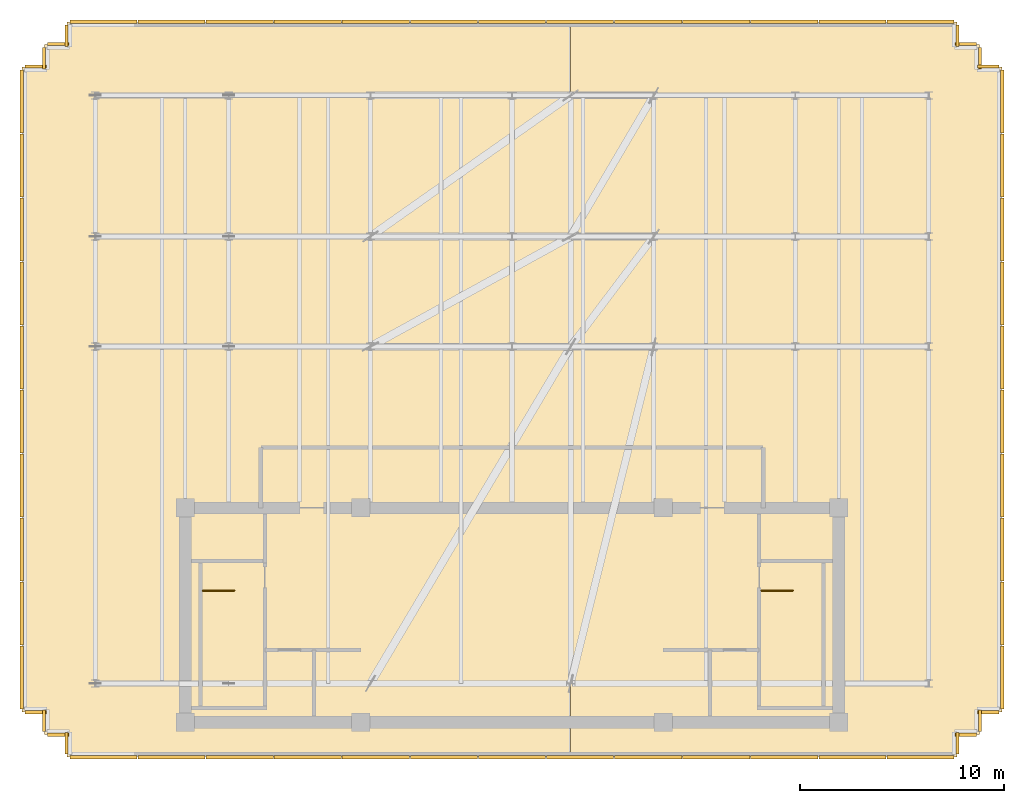
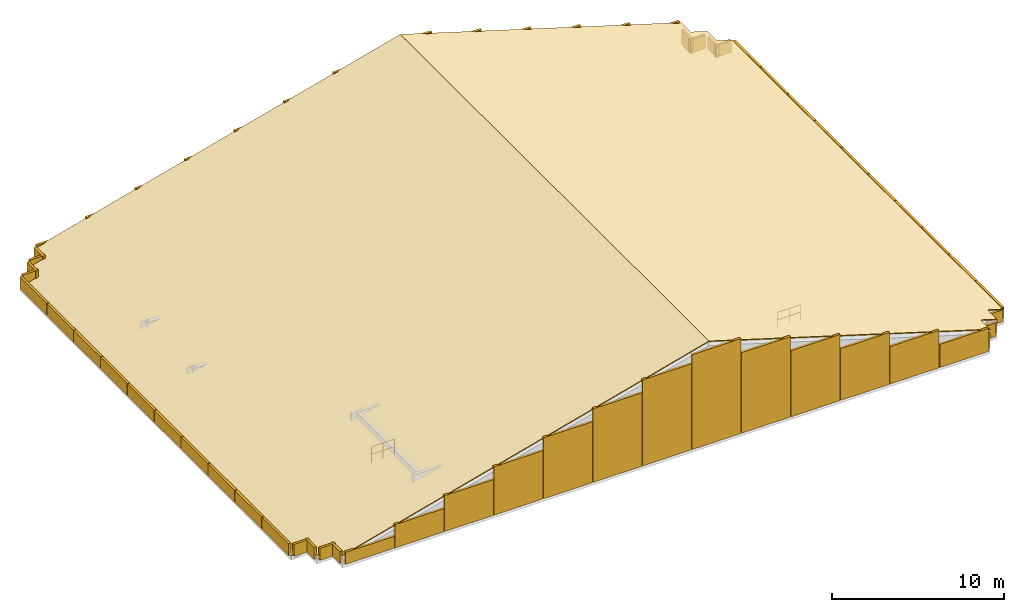
# One storey, part 6 of 6: 62 shading devices, 2 coverings, 2 railings.
"""IFC4 building model written with IfcOpenShell, lengths in metres."""

from ifc_helpers import new_model, si_unit, direction, frame, origin, origin_2d, place, context, subcontext, project, spatial, polyline, rectangle, circle, outline, extrude, material, layer, layer_set, type_object, element, save


model = new_model("IFC4")

# Units and contexts
model_context = context("Model", 3, precision=1e-05, world=origin(), true_north=direction((0.0, 1.0)))
body_context = subcontext(model_context, "Body", "Model", "MODEL_VIEW")
ifc_project = project(units=[si_unit("LENGTHUNIT", "METRE"), si_unit("AREAUNIT", "SQUARE_METRE"), si_unit("VOLUMEUNIT", "CUBIC_METRE"), si_unit("PLANEANGLEUNIT", "RADIAN"), si_unit("MASSUNIT", "GRAM", prefix="KILO")], contexts=[model_context])

# Site, building, storey
site_placement = place(None, origin())
site = spatial("IfcSite", under=ifc_project, at=site_placement, CompositionType="ELEMENT")
building_placement = place(site_placement, origin())
building = spatial("IfcBuilding", under=site, at=building_placement, Name="Solmavex Isthmus Hotel", CompositionType="ELEMENT")
storey_placement = place(building_placement, frame((0.0, 0.0, 308.39990234375)))
storey = spatial("IfcBuildingStorey", under=building, at=storey_placement, Name="Roof", CompositionType="ELEMENT", Elevation=308.39990234375)

# Coverings
ifc_material_1 = material(Name="Aluminium alloy 6063-T6", Category="aluminium")
ifc_layer_1 = layer(ifc_material_1, 0.06005859375)
ifc_layer_set_1 = layer_set([ifc_layer_1], Name="Aluminium alloy 6063-T6")
covering_type = type_object("IfcCoveringType", Name="COV-ROOF-METAL", PredefinedType="ROOFING", material=ifc_layer_set_1)
covering_1_placement = place(storey_placement, frame((2.870849609375, -14.699951171875, 7.260009765625), z_axis=(-0.258816570406, 0.0, 0.965926489379), x_axis=(0.0, 1.0, 0.0)))
element("IfcCovering", 1, at=covering_1_placement, inside=storey, type_object=covering_type, Name="Crown Standing-Seam Metal Roof Covering W", PredefinedType="ROOFING", context=body_context, shape_type="SweptSolid", body=[
    extrude(outline(polyline([(0.0, 0.0), (36.0, 0.0), (36.0, 24.402261890473536), (36.0, 25.541142838134675), (34.89990234375, 25.541142838134675), (34.89990234375, 26.67985115153826), (33.800048828125, 26.67985115153826), (33.800048828125, 27.818732099199398), (32.699951171875, 27.818732099199398), (3.300048828125, 27.818732099199398), (2.199951171875, 27.818732099199398), (2.199951171875, 26.67985115153826), (1.099853515625, 26.67985115153826), (1.099853515625, 25.541142838134675), (0.0, 25.541142838134675), (0.0, 24.402261890473536), (0.0, 0.0)])), origin(), (0.0, 0.0, -1.0), 0.06005859375),
])
covering_2_placement = place(storey_placement, frame((2.870849609375, 21.300048828125, 7.260009765625), z_axis=(0.292367343027, 0.0, 0.956306089456), x_axis=(0.0, -1.0, 0.0)))
element("IfcCovering", 2, at=covering_2_placement, inside=storey, type_object=covering_type, Name="Crown Standing-Seam Metal Roof Covering E", PredefinedType="ROOFING", context=body_context, shape_type="SweptSolid", body=[
    extrude(outline(polyline([(0.0, 0.0), (36.0, 0.0), (36.0, 18.643751652486216), (36.0, 19.79407027319876), (34.900146484375, 19.79407027319876), (34.900146484375, 20.944226799490785), (33.800048828125, 20.944226799490785), (33.800048828125, 22.09454542020333), (32.699951171875, 22.09454542020333), (3.300048828125, 22.09454542020333), (2.199951171875, 22.09454542020333), (2.199951171875, 20.944226799490785), (1.10009765625, 20.944226799490785), (1.10009765625, 19.79407027319876), (0.0, 19.79407027319876), (0.0, 18.643751652486216), (0.0, 0.0)])), origin(), (0.0, 0.0, -1.0), 0.06005859375),
])

# Railings
ifc_material_2 = material(Name="Stainless steel 316", Category="steel")
ifc_layer_2 = layer(ifc_material_2, 0.06005859375)
ifc_layer_set_2 = layer_set([ifc_layer_2], Name="Stainless steel 316")
railing_type = type_object("IfcRailingType", Name="RAIL-STAIR-GD", PredefinedType="GUARDRAIL", material=ifc_layer_set_2)
railing_1_placement = place(storey_placement, frame((-15.14990234375, -6.550048828125, 0.0)))
element("IfcRailing", 3, at=railing_1_placement, inside=storey, type_object=railing_type, Name="Roof ST-1 top well guard 1", PredefinedType="GUARDRAIL", context=body_context, shape_type="SweptSolid", body=[
    extrude(circle(Radius=0.02392578125, at=origin_2d()), frame((0.0, 0.0, 1.09619140625), z_axis=(1.0, 0.0, 0.0), x_axis=(0.0, 1.0, 0.0)), (0.0, 0.0, 1.0), 1.5498046875),
    extrude(circle(Radius=0.02392578125, at=origin_2d()), frame((0.0, 0.0, 0.56005859375), z_axis=(1.0, 0.0, 0.0), x_axis=(0.0, 1.0, 0.0)), (0.0, 0.0, 1.0), 1.5498046875),
    extrude(circle(Radius=0.02099609375, at=origin_2d()), origin(), (0.0, 0.0, 1.0), 1.072021484375),
    extrude(circle(Radius=0.02099609375, at=origin_2d()), frame((0.77490234375, 0.0, 0.0)), (0.0, 0.0, 1.0), 1.072021484375),
    extrude(circle(Radius=0.02099609375, at=origin_2d()), frame((1.5498046875, 0.0, 0.0)), (0.0, 0.0, 1.0), 1.072021484375),
])
railing_2_placement = place(storey_placement, frame((12.199951171875, -6.550048828125, 0.0)))
element("IfcRailing", 4, at=railing_2_placement, inside=storey, type_object=railing_type, Name="Roof ST-2 top well guard 1", PredefinedType="GUARDRAIL", context=body_context, shape_type="SweptSolid", body=[
    extrude(circle(Radius=0.02392578125, at=origin_2d()), frame((0.0, 0.0, 1.09619140625), z_axis=(1.0, 0.0, 0.0), x_axis=(0.0, 1.0, 0.0)), (0.0, 0.0, 1.0), 1.550048828125),
    extrude(circle(Radius=0.02392578125, at=origin_2d()), frame((0.0, 0.0, 0.56005859375), z_axis=(1.0, 0.0, 0.0), x_axis=(0.0, 1.0, 0.0)), (0.0, 0.0, 1.0), 1.550048828125),
    extrude(circle(Radius=0.02099609375, at=origin_2d()), origin(), (0.0, 0.0, 1.0), 1.072021484375),
    extrude(circle(Radius=0.02099609375, at=origin_2d()), frame((0.77490234375, 0.0, 0.0)), (0.0, 0.0, 1.0), 1.072021484375),
    extrude(circle(Radius=0.02099609375, at=origin_2d()), frame((1.550048828125, 0.0, 0.0)), (0.0, 0.0, 1.0), 1.072021484375),
])

# Shading devices
shading_device_type = type_object("IfcShadingDeviceType", Name="SHD-LOUVRE-BOX", PredefinedType="JALOUSIE", material=ifc_material_1)
shading_device_1_placement = place(storey_placement, frame((20.003173828125, -14.7099609375, 0.0), z_axis=(0.0, 0.0, 1.0), x_axis=(-1.0, 0.0, 0.0)))
element("IfcShadingDevice", 5, at=shading_device_1_placement, inside=storey, type_object=shading_device_type, Name="Crown Perimeter Louvre Cladding Screen G01-01", PredefinedType="JALOUSIE", context=body_context, shape_type="SweptSolid", body=[
    extrude(rectangle(XDim=3.293701171875, YDim=0.159912109375, at=origin_2d()), origin(), (0.0, 0.0, 1.0), 1.650146484375),
])
shading_device_2_placement = place(storey_placement, frame((16.669189453125, -14.7099609375, 0.000244140625), z_axis=(0.0, 0.0, 1.0), x_axis=(-1.0, 0.0, 0.0)))
element("IfcShadingDevice", 6, at=shading_device_2_placement, inside=storey, type_object=shading_device_type, Name="Crown Perimeter Louvre Cladding Screen G01-02", PredefinedType="JALOUSIE", context=body_context, shape_type="SweptSolid", body=[
    extrude(rectangle(XDim=3.293701171875, YDim=0.159912109375, at=origin_2d()), origin(), (0.0, 0.0, 1.0), 2.66943359375),
])
shading_device_3_placement = place(storey_placement, frame((13.33544921875, -14.7099609375, 0.0), z_axis=(0.0, 0.0, 1.0), x_axis=(-1.0, 0.0, 0.0)))
element("IfcShadingDevice", 7, at=shading_device_3_placement, inside=storey, type_object=shading_device_type, Name="Crown Perimeter Louvre Cladding Screen G01-03", PredefinedType="JALOUSIE", context=body_context, shape_type="SweptSolid", body=[
    extrude(rectangle(XDim=3.293701171875, YDim=0.159912109375, at=origin_2d()), origin(), (0.0, 0.0, 1.0), 3.688720703125),
])
shading_device_4_placement = place(storey_placement, frame((10.00146484375, -14.7099609375, 0.0), z_axis=(0.0, 0.0, 1.0), x_axis=(-1.0, 0.0, 0.0)))
element("IfcShadingDevice", 8, at=shading_device_4_placement, inside=storey, type_object=shading_device_type, Name="Crown Perimeter Louvre Cladding Screen G01-04", PredefinedType="JALOUSIE", context=body_context, shape_type="SweptSolid", body=[
    extrude(rectangle(XDim=3.293701171875, YDim=0.159912109375, at=origin_2d()), origin(), (0.0, 0.0, 1.0), 4.7080078125),
])
shading_device_5_placement = place(storey_placement, frame((6.667724609375, -14.7099609375, 0.0), z_axis=(0.0, 0.0, 1.0), x_axis=(-1.0, 0.0, 0.0)))
element("IfcShadingDevice", 9, at=shading_device_5_placement, inside=storey, type_object=shading_device_type, Name="Crown Perimeter Louvre Cladding Screen G01-05", PredefinedType="JALOUSIE", context=body_context, shape_type="SweptSolid", body=[
    extrude(rectangle(XDim=3.293701171875, YDim=0.159912109375, at=origin_2d()), origin(), (0.0, 0.0, 1.0), 5.727294921875),
])
shading_device_6_placement = place(storey_placement, frame((3.333740234375, -14.7099609375, 0.0), z_axis=(0.0, 0.0, 1.0), x_axis=(-1.0, 0.0, 0.0)))
element("IfcShadingDevice", 10, at=shading_device_6_placement, inside=storey, type_object=shading_device_type, Name="Crown Perimeter Louvre Cladding Screen G01-06", PredefinedType="JALOUSIE", context=body_context, shape_type="SweptSolid", body=[
    extrude(rectangle(XDim=3.293701171875, YDim=0.159912109375, at=origin_2d()), origin(), (0.0, 0.0, 1.0), 6.74658203125),
])
shading_device_7_placement = place(storey_placement, frame((0.0, -14.7099609375, 0.0), z_axis=(0.0, 0.0, 1.0), x_axis=(-1.0, 0.0, 0.0)))
element("IfcShadingDevice", 11, at=shading_device_7_placement, inside=storey, type_object=shading_device_type, Name="Crown Perimeter Louvre Cladding Screen G01-07", PredefinedType="JALOUSIE", context=body_context, shape_type="SweptSolid", body=[
    extrude(rectangle(XDim=3.293701171875, YDim=0.159912109375, at=origin_2d()), origin(), (0.0, 0.0, 1.0), 6.12158203125),
])
shading_device_8_placement = place(storey_placement, frame((-3.333740234375, -14.7099609375, 0.0), z_axis=(0.0, 0.0, 1.0), x_axis=(-1.0, 0.0, 0.0)))
element("IfcShadingDevice", 12, at=shading_device_8_placement, inside=storey, type_object=shading_device_type, Name="Crown Perimeter Louvre Cladding Screen G01-08", PredefinedType="JALOUSIE", context=body_context, shape_type="SweptSolid", body=[
    extrude(rectangle(XDim=3.293701171875, YDim=0.159912109375, at=origin_2d()), origin(), (0.0, 0.0, 1.0), 5.228271484375),
])
shading_device_9_placement = place(storey_placement, frame((-6.667724609375, -14.7099609375, 0.0), z_axis=(0.0, 0.0, 1.0), x_axis=(-1.0, 0.0, 0.0)))
element("IfcShadingDevice", 13, at=shading_device_9_placement, inside=storey, type_object=shading_device_type, Name="Crown Perimeter Louvre Cladding Screen G01-09", PredefinedType="JALOUSIE", context=body_context, shape_type="SweptSolid", body=[
    extrude(rectangle(XDim=3.293701171875, YDim=0.159912109375, at=origin_2d()), origin(), (0.0, 0.0, 1.0), 4.3349609375),
])
shading_device_10_placement = place(storey_placement, frame((-10.00146484375, -14.7099609375, 0.0), z_axis=(0.0, 0.0, 1.0), x_axis=(-1.0, 0.0, 0.0)))
element("IfcShadingDevice", 14, at=shading_device_10_placement, inside=storey, type_object=shading_device_type, Name="Crown Perimeter Louvre Cladding Screen G01-10", PredefinedType="JALOUSIE", context=body_context, shape_type="SweptSolid", body=[
    extrude(rectangle(XDim=3.293701171875, YDim=0.159912109375, at=origin_2d()), origin(), (0.0, 0.0, 1.0), 3.441650390625),
])
shading_device_11_placement = place(storey_placement, frame((-13.33544921875, -14.7099609375, 0.000244140625), z_axis=(0.0, 0.0, 1.0), x_axis=(-1.0, 0.0, 0.0)))
element("IfcShadingDevice", 15, at=shading_device_11_placement, inside=storey, type_object=shading_device_type, Name="Crown Perimeter Louvre Cladding Screen G01-11", PredefinedType="JALOUSIE", context=body_context, shape_type="SweptSolid", body=[
    extrude(rectangle(XDim=3.293701171875, YDim=0.159912109375, at=origin_2d()), origin(), (0.0, 0.0, 1.0), 2.54833984375),
])
shading_device_12_placement = place(storey_placement, frame((-16.669189453125, -14.7099609375, 0.0), z_axis=(0.0, 0.0, 1.0), x_axis=(-1.0, 0.0, 0.0)))
element("IfcShadingDevice", 16, at=shading_device_12_placement, inside=storey, type_object=shading_device_type, Name="Crown Perimeter Louvre Cladding Screen G01-12", PredefinedType="JALOUSIE", context=body_context, shape_type="SweptSolid", body=[
    extrude(rectangle(XDim=3.293701171875, YDim=0.159912109375, at=origin_2d()), origin(), (0.0, 0.0, 1.0), 1.655029296875),
])
shading_device_13_placement = place(storey_placement, frame((-20.003173828125, -14.7099609375, 0.0), z_axis=(0.0, 0.0, 1.0), x_axis=(-1.0, 0.0, 0.0)))
element("IfcShadingDevice", 17, at=shading_device_13_placement, inside=storey, type_object=shading_device_type, Name="Crown Perimeter Louvre Cladding Screen G01-13", PredefinedType="JALOUSIE", context=body_context, shape_type="SweptSolid", body=[
    extrude(rectangle(XDim=3.293701171875, YDim=0.159912109375, at=origin_2d()), origin(), (0.0, 0.0, 1.0), 0.85009765625),
])
for number, where, z_axis, x_axis, name in (
    (18, (-21.81005859375, -14.02001953125, 0.0), (0.0, 0.0, 1.0), (0.0, 1.0, 0.0), "Crown Perimeter Louvre Cladding Screen G02-01"),
    (19, (-22.219970703125, -13.610107421875, 0.0), (0.0, 0.0, 1.0), (-1.0, 0.0, 0.0), "Crown Perimeter Louvre Cladding Screen G03-01"),
    (20, (-22.909912109375, -12.919921875, 0.0), (0.0, 0.0, 1.0), (0.0, 1.0, 0.0), "Crown Perimeter Louvre Cladding Screen G04-01"),
    (21, (-23.320068359375, -12.510009765625, 0.0), (0.0, 0.0, 1.0), (-1.0, 0.0, 0.0), "Crown Perimeter Louvre Cladding Screen G05-01"),
):
    element("IfcShadingDevice", number, at=place(storey_placement, frame(where, z_axis=z_axis, x_axis=x_axis)), inside=storey, type_object=shading_device_type, Name=name, PredefinedType="JALOUSIE", context=body_context, shape_type="SweptSolid", body=[
        extrude(rectangle(XDim=1.06005859375, YDim=0.159912109375, at=origin_2d()), origin(), (0.0, 0.0, 1.0), 0.85009765625),
    ])
for number, where, z_axis, x_axis, name in (
    (22, (-24.010009765625, -10.802978515625, 0.0), (0.0, 0.0, 1.0), (0.0, 1.0, 0.0), "Crown Perimeter Louvre Cladding Screen G06-01"),
    (23, (-24.010009765625, -7.6689453125, 0.0), (0.0, 0.0, 1.0), (0.0, 1.0, 0.0), "Crown Perimeter Louvre Cladding Screen G06-02"),
    (24, (-24.010009765625, -4.534912109375, 0.0), (0.0, 0.0, 1.0), (0.0, 1.0, 0.0), "Crown Perimeter Louvre Cladding Screen G06-03"),
    (25, (-24.010009765625, -1.40087890625, 0.0), (0.0, 0.0, 1.0), (0.0, 1.0, 0.0), "Crown Perimeter Louvre Cladding Screen G06-04"),
    (26, (-24.010009765625, 1.73291015625, 0.0), (0.0, 0.0, 1.0), (0.0, 1.0, 0.0), "Crown Perimeter Louvre Cladding Screen G06-05"),
    (27, (-24.010009765625, 4.866943359375, 0.0), (0.0, 0.0, 1.0), (0.0, 1.0, 0.0), "Crown Perimeter Louvre Cladding Screen G06-06"),
    (28, (-24.010009765625, 8.0009765625, 0.0), (0.0, 0.0, 1.0), (0.0, 1.0, 0.0), "Crown Perimeter Louvre Cladding Screen G06-07"),
    (29, (-24.010009765625, 11.135009765625, 0.0), (0.0, 0.0, 1.0), (0.0, 1.0, 0.0), "Crown Perimeter Louvre Cladding Screen G06-08"),
    (30, (-24.010009765625, 14.26904296875, 0.0), (0.0, 0.0, 1.0), (0.0, 1.0, 0.0), "Crown Perimeter Louvre Cladding Screen G06-09"),
    (31, (-24.010009765625, 17.403076171875, 0.0), (0.0, 0.0, 1.0), (0.0, 1.0, 0.0), "Crown Perimeter Louvre Cladding Screen G06-10"),
):
    element("IfcShadingDevice", number, at=place(storey_placement, frame(where, z_axis=z_axis, x_axis=x_axis)), inside=storey, type_object=shading_device_type, Name=name, PredefinedType="JALOUSIE", context=body_context, shape_type="SweptSolid", body=[
        extrude(rectangle(XDim=3.093994140625, YDim=0.159912109375, at=origin_2d()), origin(), (0.0, 0.0, 1.0), 0.85009765625),
    ])
for number, where, z_axis, x_axis, name in (
    (32, (-23.320068359375, 19.110107421875, 0.0), (0.0, 0.0, 1.0), (1.0, 0.0, 0.0), "Crown Perimeter Louvre Cladding Screen G07-01"),
    (33, (-22.909912109375, 19.52001953125, 0.0), (0.0, 0.0, 1.0), (0.0, 1.0, 0.0), "Crown Perimeter Louvre Cladding Screen G08-01"),
    (34, (-22.219970703125, 20.2099609375, 0.0), (0.0, 0.0, 1.0), (1.0, 0.0, 0.0), "Crown Perimeter Louvre Cladding Screen G09-01"),
    (35, (-21.81005859375, 20.6201171875, 0.0), (0.0, 0.0, 1.0), (0.0, 1.0, 0.0), "Crown Perimeter Louvre Cladding Screen G10-01"),
):
    element("IfcShadingDevice", number, at=place(storey_placement, frame(where, z_axis=z_axis, x_axis=x_axis)), inside=storey, type_object=shading_device_type, Name=name, PredefinedType="JALOUSIE", context=body_context, shape_type="SweptSolid", body=[
        extrude(rectangle(XDim=1.06005859375, YDim=0.159912109375, at=origin_2d()), origin(), (0.0, 0.0, 1.0), 0.85009765625),
    ])
shading_device_14_placement = place(storey_placement, frame((-20.003173828125, 21.31005859375, 0.0), z_axis=(0.0, 0.0, 1.0), x_axis=(1.0, 0.0, 0.0)))
element("IfcShadingDevice", 36, at=shading_device_14_placement, inside=storey, type_object=shading_device_type, Name="Crown Perimeter Louvre Cladding Screen G11-01", PredefinedType="JALOUSIE", context=body_context, shape_type="SweptSolid", body=[
    extrude(rectangle(XDim=3.293701171875, YDim=0.159912109375, at=origin_2d()), origin(), (0.0, 0.0, 1.0), 0.85009765625),
])
shading_device_15_placement = place(storey_placement, frame((-16.669189453125, 21.31005859375, 0.0), z_axis=(0.0, 0.0, 1.0), x_axis=(1.0, 0.0, 0.0)))
element("IfcShadingDevice", 37, at=shading_device_15_placement, inside=storey, type_object=shading_device_type, Name="Crown Perimeter Louvre Cladding Screen G11-02", PredefinedType="JALOUSIE", context=body_context, shape_type="SweptSolid", body=[
    extrude(rectangle(XDim=3.293701171875, YDim=0.159912109375, at=origin_2d()), origin(), (0.0, 0.0, 1.0), 1.655029296875),
])
shading_device_16_placement = place(storey_placement, frame((-13.33544921875, 21.31005859375, 0.000244140625), z_axis=(0.0, 0.0, 1.0), x_axis=(1.0, 0.0, 0.0)))
element("IfcShadingDevice", 38, at=shading_device_16_placement, inside=storey, type_object=shading_device_type, Name="Crown Perimeter Louvre Cladding Screen G11-03", PredefinedType="JALOUSIE", context=body_context, shape_type="SweptSolid", body=[
    extrude(rectangle(XDim=3.293701171875, YDim=0.159912109375, at=origin_2d()), origin(), (0.0, 0.0, 1.0), 2.54833984375),
])
shading_device_17_placement = place(storey_placement, frame((-10.00146484375, 21.31005859375, 0.0), z_axis=(0.0, 0.0, 1.0), x_axis=(1.0, 0.0, 0.0)))
element("IfcShadingDevice", 39, at=shading_device_17_placement, inside=storey, type_object=shading_device_type, Name="Crown Perimeter Louvre Cladding Screen G11-04", PredefinedType="JALOUSIE", context=body_context, shape_type="SweptSolid", body=[
    extrude(rectangle(XDim=3.293701171875, YDim=0.159912109375, at=origin_2d()), origin(), (0.0, 0.0, 1.0), 3.441650390625),
])
shading_device_18_placement = place(storey_placement, frame((-6.667724609375, 21.31005859375, 0.0), z_axis=(0.0, 0.0, 1.0), x_axis=(1.0, 0.0, 0.0)))
element("IfcShadingDevice", 40, at=shading_device_18_placement, inside=storey, type_object=shading_device_type, Name="Crown Perimeter Louvre Cladding Screen G11-05", PredefinedType="JALOUSIE", context=body_context, shape_type="SweptSolid", body=[
    extrude(rectangle(XDim=3.293701171875, YDim=0.159912109375, at=origin_2d()), origin(), (0.0, 0.0, 1.0), 4.3349609375),
])
shading_device_19_placement = place(storey_placement, frame((-3.333740234375, 21.31005859375, 0.0), z_axis=(0.0, 0.0, 1.0), x_axis=(1.0, 0.0, 0.0)))
element("IfcShadingDevice", 41, at=shading_device_19_placement, inside=storey, type_object=shading_device_type, Name="Crown Perimeter Louvre Cladding Screen G11-06", PredefinedType="JALOUSIE", context=body_context, shape_type="SweptSolid", body=[
    extrude(rectangle(XDim=3.293701171875, YDim=0.159912109375, at=origin_2d()), origin(), (0.0, 0.0, 1.0), 5.228271484375),
])
shading_device_20_placement = place(storey_placement, frame((0.0, 21.31005859375, 0.0), z_axis=(0.0, 0.0, 1.0), x_axis=(1.0, 0.0, 0.0)))
element("IfcShadingDevice", 42, at=shading_device_20_placement, inside=storey, type_object=shading_device_type, Name="Crown Perimeter Louvre Cladding Screen G11-07", PredefinedType="JALOUSIE", context=body_context, shape_type="SweptSolid", body=[
    extrude(rectangle(XDim=3.293701171875, YDim=0.159912109375, at=origin_2d()), origin(), (0.0, 0.0, 1.0), 6.12158203125),
])
shading_device_21_placement = place(storey_placement, frame((3.333740234375, 21.31005859375, 0.0), z_axis=(0.0, 0.0, 1.0), x_axis=(1.0, 0.0, 0.0)))
element("IfcShadingDevice", 43, at=shading_device_21_placement, inside=storey, type_object=shading_device_type, Name="Crown Perimeter Louvre Cladding Screen G11-08", PredefinedType="JALOUSIE", context=body_context, shape_type="SweptSolid", body=[
    extrude(rectangle(XDim=3.293701171875, YDim=0.159912109375, at=origin_2d()), origin(), (0.0, 0.0, 1.0), 6.74658203125),
])
shading_device_22_placement = place(storey_placement, frame((6.667724609375, 21.31005859375, 0.0), z_axis=(0.0, 0.0, 1.0), x_axis=(1.0, 0.0, 0.0)))
element("IfcShadingDevice", 44, at=shading_device_22_placement, inside=storey, type_object=shading_device_type, Name="Crown Perimeter Louvre Cladding Screen G11-09", PredefinedType="JALOUSIE", context=body_context, shape_type="SweptSolid", body=[
    extrude(rectangle(XDim=3.293701171875, YDim=0.159912109375, at=origin_2d()), origin(), (0.0, 0.0, 1.0), 5.727294921875),
])
shading_device_23_placement = place(storey_placement, frame((10.00146484375, 21.31005859375, 0.0), z_axis=(0.0, 0.0, 1.0), x_axis=(1.0, 0.0, 0.0)))
element("IfcShadingDevice", 45, at=shading_device_23_placement, inside=storey, type_object=shading_device_type, Name="Crown Perimeter Louvre Cladding Screen G11-10", PredefinedType="JALOUSIE", context=body_context, shape_type="SweptSolid", body=[
    extrude(rectangle(XDim=3.293701171875, YDim=0.159912109375, at=origin_2d()), origin(), (0.0, 0.0, 1.0), 4.7080078125),
])
shading_device_24_placement = place(storey_placement, frame((13.33544921875, 21.31005859375, 0.0), z_axis=(0.0, 0.0, 1.0), x_axis=(1.0, 0.0, 0.0)))
element("IfcShadingDevice", 46, at=shading_device_24_placement, inside=storey, type_object=shading_device_type, Name="Crown Perimeter Louvre Cladding Screen G11-11", PredefinedType="JALOUSIE", context=body_context, shape_type="SweptSolid", body=[
    extrude(rectangle(XDim=3.293701171875, YDim=0.159912109375, at=origin_2d()), origin(), (0.0, 0.0, 1.0), 3.688720703125),
])
shading_device_25_placement = place(storey_placement, frame((16.669189453125, 21.31005859375, 0.000244140625), z_axis=(0.0, 0.0, 1.0), x_axis=(1.0, 0.0, 0.0)))
element("IfcShadingDevice", 47, at=shading_device_25_placement, inside=storey, type_object=shading_device_type, Name="Crown Perimeter Louvre Cladding Screen G11-12", PredefinedType="JALOUSIE", context=body_context, shape_type="SweptSolid", body=[
    extrude(rectangle(XDim=3.293701171875, YDim=0.159912109375, at=origin_2d()), origin(), (0.0, 0.0, 1.0), 2.66943359375),
])
shading_device_26_placement = place(storey_placement, frame((20.003173828125, 21.31005859375, 0.0), z_axis=(0.0, 0.0, 1.0), x_axis=(1.0, 0.0, 0.0)))
element("IfcShadingDevice", 48, at=shading_device_26_placement, inside=storey, type_object=shading_device_type, Name="Crown Perimeter Louvre Cladding Screen G11-13", PredefinedType="JALOUSIE", context=body_context, shape_type="SweptSolid", body=[
    extrude(rectangle(XDim=3.293701171875, YDim=0.159912109375, at=origin_2d()), origin(), (0.0, 0.0, 1.0), 1.650146484375),
])
shading_device_27_placement = place(storey_placement, frame((21.81005859375, 20.6201171875, 0.0), z_axis=(0.0, 0.0, 1.0), x_axis=(0.0, -1.0, 0.0)))
element("IfcShadingDevice", 49, at=shading_device_27_placement, inside=storey, type_object=shading_device_type, Name="Crown Perimeter Louvre Cladding Screen G12-01", PredefinedType="JALOUSIE", context=body_context, shape_type="SweptSolid", body=[
    extrude(rectangle(XDim=1.06005859375, YDim=0.159912109375, at=origin_2d()), origin(), (0.0, 0.0, 1.0), 1.097900390625),
])
shading_device_28_placement = place(storey_placement, frame((22.219970703125, 20.2099609375, 0.0), z_axis=(0.0, 0.0, 1.0), x_axis=(1.0, 0.0, 0.0)))
element("IfcShadingDevice", 50, at=shading_device_28_placement, inside=storey, type_object=shading_device_type, Name="Crown Perimeter Louvre Cladding Screen G13-01", PredefinedType="JALOUSIE", context=body_context, shape_type="SweptSolid", body=[
    extrude(rectangle(XDim=1.06005859375, YDim=0.159912109375, at=origin_2d()), origin(), (0.0, 0.0, 1.0), 0.972412109375),
])
for number, where, z_axis, x_axis, name in (
    (51, (22.909912109375, 19.52001953125, 0.0), (0.0, 0.0, 1.0), (0.0, -1.0, 0.0), "Crown Perimeter Louvre Cladding Screen G14-01"),
    (52, (23.320068359375, 19.110107421875, 0.0), (0.0, 0.0, 1.0), (1.0, 0.0, 0.0), "Crown Perimeter Louvre Cladding Screen G15-01"),
):
    element("IfcShadingDevice", number, at=place(storey_placement, frame(where, z_axis=z_axis, x_axis=x_axis)), inside=storey, type_object=shading_device_type, Name=name, PredefinedType="JALOUSIE", context=body_context, shape_type="SweptSolid", body=[
        extrude(rectangle(XDim=1.06005859375, YDim=0.159912109375, at=origin_2d()), origin(), (0.0, 0.0, 1.0), 0.85009765625),
    ])
for number, where, z_axis, x_axis, name in (
    (53, (24.010009765625, 17.403076171875, 0.0), (0.0, 0.0, 1.0), (0.0, -1.0, 0.0), "Crown Perimeter Louvre Cladding Screen G16-01"),
    (54, (24.010009765625, 14.26904296875, 0.0), (0.0, 0.0, 1.0), (0.0, -1.0, 0.0), "Crown Perimeter Louvre Cladding Screen G16-02"),
    (55, (24.010009765625, 11.135009765625, 0.0), (0.0, 0.0, 1.0), (0.0, -1.0, 0.0), "Crown Perimeter Louvre Cladding Screen G16-03"),
    (56, (24.010009765625, 8.0009765625, 0.0), (0.0, 0.0, 1.0), (0.0, -1.0, 0.0), "Crown Perimeter Louvre Cladding Screen G16-04"),
    (57, (24.010009765625, 4.866943359375, 0.0), (0.0, 0.0, 1.0), (0.0, -1.0, 0.0), "Crown Perimeter Louvre Cladding Screen G16-05"),
    (58, (24.010009765625, 1.73291015625, 0.0), (0.0, 0.0, 1.0), (0.0, -1.0, 0.0), "Crown Perimeter Louvre Cladding Screen G16-06"),
    (59, (24.010009765625, -1.40087890625, 0.0), (0.0, 0.0, 1.0), (0.0, -1.0, 0.0), "Crown Perimeter Louvre Cladding Screen G16-07"),
    (60, (24.010009765625, -4.534912109375, 0.0), (0.0, 0.0, 1.0), (0.0, -1.0, 0.0), "Crown Perimeter Louvre Cladding Screen G16-08"),
    (61, (24.010009765625, -7.6689453125, 0.0), (0.0, 0.0, 1.0), (0.0, -1.0, 0.0), "Crown Perimeter Louvre Cladding Screen G16-09"),
    (62, (24.010009765625, -10.802978515625, 0.0), (0.0, 0.0, 1.0), (0.0, -1.0, 0.0), "Crown Perimeter Louvre Cladding Screen G16-10"),
):
    element("IfcShadingDevice", number, at=place(storey_placement, frame(where, z_axis=z_axis, x_axis=x_axis)), inside=storey, type_object=shading_device_type, Name=name, PredefinedType="JALOUSIE", context=body_context, shape_type="SweptSolid", body=[
        extrude(rectangle(XDim=3.093994140625, YDim=0.159912109375, at=origin_2d()), origin(), (0.0, 0.0, 1.0), 0.85009765625),
    ])
for number, where, z_axis, x_axis, name in (
    (63, (23.320068359375, -12.510009765625, 0.0), (0.0, 0.0, 1.0), (-1.0, 0.0, 0.0), "Crown Perimeter Louvre Cladding Screen G17-01"),
    (64, (22.909912109375, -12.919921875, 0.0), (0.0, 0.0, 1.0), (0.0, -1.0, 0.0), "Crown Perimeter Louvre Cladding Screen G18-01"),
):
    element("IfcShadingDevice", number, at=place(storey_placement, frame(where, z_axis=z_axis, x_axis=x_axis)), inside=storey, type_object=shading_device_type, Name=name, PredefinedType="JALOUSIE", context=body_context, shape_type="SweptSolid", body=[
        extrude(rectangle(XDim=1.06005859375, YDim=0.159912109375, at=origin_2d()), origin(), (0.0, 0.0, 1.0), 0.85009765625),
    ])
shading_device_29_placement = place(storey_placement, frame((22.219970703125, -13.610107421875, 0.0), z_axis=(0.0, 0.0, 1.0), x_axis=(-1.0, 0.0, 0.0)))
element("IfcShadingDevice", 65, at=shading_device_29_placement, inside=storey, type_object=shading_device_type, Name="Crown Perimeter Louvre Cladding Screen G19-01", PredefinedType="JALOUSIE", context=body_context, shape_type="SweptSolid", body=[
    extrude(rectangle(XDim=1.06005859375, YDim=0.159912109375, at=origin_2d()), origin(), (0.0, 0.0, 1.0), 0.972412109375),
])
shading_device_30_placement = place(storey_placement, frame((21.81005859375, -14.02001953125, 0.0), z_axis=(0.0, 0.0, 1.0), x_axis=(0.0, -1.0, 0.0)))
element("IfcShadingDevice", 66, at=shading_device_30_placement, inside=storey, type_object=shading_device_type, Name="Crown Perimeter Louvre Cladding Screen G20-01", PredefinedType="JALOUSIE", context=body_context, shape_type="SweptSolid", body=[
    extrude(rectangle(XDim=1.06005859375, YDim=0.159912109375, at=origin_2d()), origin(), (0.0, 0.0, 1.0), 1.097900390625),
])

save(model, "model.ifc")
